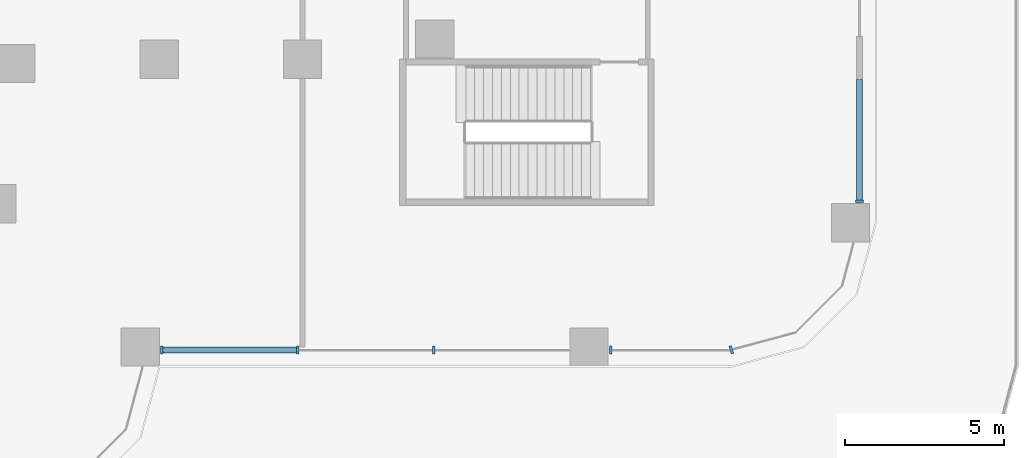
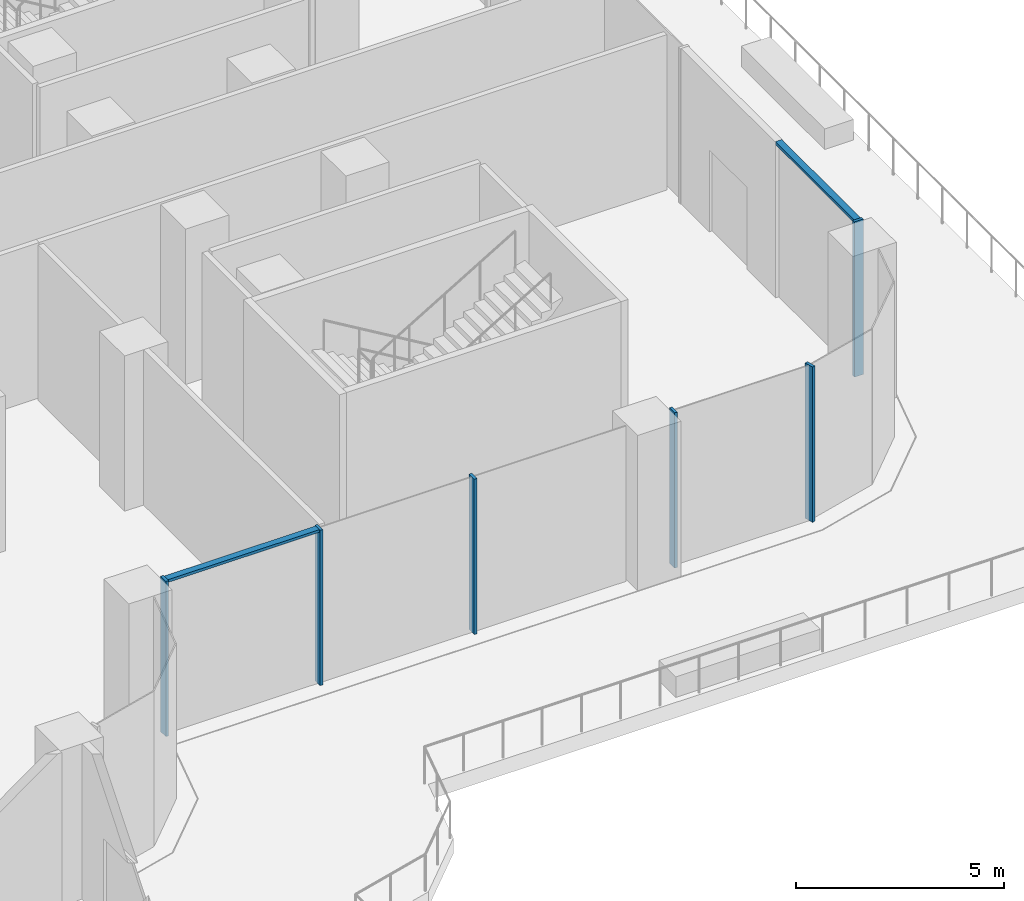
# One storey, part 6 of 27: 8 members, 3 elements without a shape of their own.
"""IFC4 building model written with IfcOpenShell, lengths in metres."""

from ifc_helpers import new_model, si_unit, direction, frame, origin, place, context, subcontext, project, spatial, polyline, outline, extrude, source, transform, mapped, material, type_object, element, aggregate, save


model = new_model("IFC4")

# Units and contexts
model_context = context("Model", 3, precision=1e-05, world=origin(), true_north=direction((0.0, 1.0)))
body_context = subcontext(model_context, "Body", "Model", "MODEL_VIEW")
ifc_project = project(units=[si_unit("LENGTHUNIT", "METRE"), si_unit("AREAUNIT", "SQUARE_METRE"), si_unit("VOLUMEUNIT", "CUBIC_METRE"), si_unit("PLANEANGLEUNIT", "RADIAN"), si_unit("MASSUNIT", "GRAM", prefix="KILO")], contexts=[model_context])

# Site, building, storey
site_placement = place(None, origin())
site = spatial("IfcSite", under=ifc_project, at=site_placement, CompositionType="ELEMENT")
building_placement = place(site_placement, origin())
building = spatial("IfcBuilding", under=site, at=building_placement, Name="Zarbagh Exchange Tower", CompositionType="ELEMENT")
storey_placement = place(building_placement, frame((0.0, 0.0, 17.0)))
storey = spatial("IfcBuildingStorey", under=building, at=storey_placement, Name="L03", CompositionType="ELEMENT", Elevation=17.0)

# Curtain wall, members
ifc_material_1 = material(Name="Anodised aluminium frame and glazing", Category="aluminium")
curtain_wall_type = type_object("IfcCurtainWallType", Name="CWC Podium garden-wall glazing", PredefinedType="NOTDEFINED", material=ifc_material_1)
curtain_wall_1_placement = place(storey_placement, origin())
curtain_wall_1 = element("IfcCurtainWall", 1, at=curtain_wall_1_placement, inside=storey, type_object=curtain_wall_type, Name="CWC150 curtain wall", PredefinedType="NOTDEFINED")
ifc_material_2 = material(Name="Anodised aluminium frame", Category="aluminium")
member_type_1 = type_object("IfcMemberType", Name="MUC Mullion, anodised aluminium frame", PredefinedType="MULLION", material=ifc_material_2)
shared_shape_1 = source(origin(), body_context, "Body", "SweptSolid", [
    extrude(outline(polyline([(0.0, -0.125), (0.080078125, -0.125), (0.080078125, 0.125), (0.0, 0.125), (0.0, -0.125)])), origin(), (0.0, 0.0, 1.0), 4.550048828125),
])
placement = place(storey_placement, origin())
member_1 = element("IfcMember", 2, at=placement, type_object=member_type_1, Name="CWC150 mullion 1.1", PredefinedType="MULLION", context=body_context, shape_type="MappedRepresentation", body=[
    mapped(shared_shape_1, transform((20.2900390625, -15.25, 0.0), x_axis=(1.0, 0.0, 0.0), y_axis=(0.0, 1.0, 0.0), z_axis=(0.0, 0.0, 1.0))),
])
member_2 = element("IfcMember", 3, at=placement, type_object=member_type_1, Name="CWC150 mullion 1.2", PredefinedType="MULLION", context=body_context, shape_type="MappedRepresentation", body=[
    mapped(shared_shape_1, transform((24.5634765625, -15.25, 0.0), x_axis=(1.0, 0.0, 0.0), y_axis=(0.0, 1.0, 0.0), z_axis=(0.0, 0.0, 1.0))),
])
member_3 = element("IfcMember", 4, at=placement, type_object=member_type_1, Name="CWC150 mullion 1.3", PredefinedType="MULLION", context=body_context, shape_type="MappedRepresentation", body=[
    mapped(shared_shape_1, transform((28.836669921875, -15.25, 0.0), x_axis=(1.0, 0.0, 0.0), y_axis=(0.0, 1.0, 0.0), z_axis=(0.0, 0.0, 1.0))),
])
member_4 = element("IfcMember", 5, at=placement, type_object=member_type_1, Name="CWC150 mullion 2.1", PredefinedType="MULLION", context=body_context, shape_type="MappedRepresentation", body=[
    mapped(shared_shape_1, transform((34.39013671875, -15.25, 0.0), x_axis=(1.0, 0.0, 0.0), y_axis=(0.0, 1.0, 0.0), z_axis=(0.0, 0.0, 1.0))),
])

# Curtain wall, member
curtain_wall_2_placement = place(storey_placement, origin())
curtain_wall_2 = element("IfcCurtainWall", 6, at=curtain_wall_2_placement, inside=storey, type_object=curtain_wall_type, Name="CWC151 curtain wall", PredefinedType="NOTDEFINED")
member_5 = element("IfcMember", 7, at=placement, type_object=member_type_1, Name="CWC151 mullion 1.1", PredefinedType="MULLION", context=body_context, shape_type="MappedRepresentation", body=[
    mapped(shared_shape_1, transform((38.18408203125, -15.25, 0.0), x_axis=(0.965924289636, 0.258824779902, 0.0), y_axis=(-0.258824779902, 0.965924289636, 0.0), z_axis=(0.0, 0.0, 1.0))),
])
aggregate(curtain_wall_2, [member_5])

curtain_wall_3_placement = place(storey_placement, origin())
curtain_wall_3 = element("IfcCurtainWall", 8, at=curtain_wall_3_placement, inside=storey, type_object=curtain_wall_type, Name="CWC154 curtain wall", PredefinedType="NOTDEFINED")
member_6 = element("IfcMember", 9, at=placement, type_object=member_type_1, Name="CWC154 mullion 1.1", PredefinedType="MULLION", context=body_context, shape_type="MappedRepresentation", body=[
    mapped(shared_shape_1, transform((42.25, -10.60986328125, 0.0), x_axis=(0.0, 1.0, 0.0), y_axis=(-1.0, 0.0, 0.0), z_axis=(0.0, 0.0, 1.0))),
])

# Member
member_type_2 = type_object("IfcMemberType", Name="TRC Transom, anodised aluminium frame", PredefinedType="USERDEFINED", material=ifc_material_2)
shared_shape_2 = source(origin(), body_context, "Body", "SweptSolid", [
    extrude(outline(polyline([(-0.080078125, -0.090087890625), (0.0, -0.090087890625), (0.0, 0.090087890625), (-0.080078125, 0.090087890625), (-0.080078125, -0.090087890625)])), origin(), (0.0, 0.0, 1.0), 4.193359375),
])
member_7 = element("IfcMember", 10, at=placement, type_object=member_type_2, Name="CWC150 transom 1.1", ObjectType="TRANSOM", PredefinedType="USERDEFINED", context=body_context, shape_type="MappedRepresentation", body=[
    mapped(shared_shape_2, transform((20.3701171875, -15.25, 4.550048828125), x_axis=(0.0, 0.0, 1.0), y_axis=(0.0, -1.0, 0.0), z_axis=(1.0, 0.0, 0.0))),
])

aggregate(curtain_wall_1, [member_1, member_7, member_2, member_3, member_4])

shared_shape_3 = source(origin(), body_context, "Body", "SweptSolid", [
    extrude(outline(polyline([(-0.080078125, -0.090087890625), (0.0, -0.090087890625), (0.0, 0.090087890625), (-0.080078125, 0.090087890625), (-0.080078125, -0.090087890625)])), origin(), (0.0, 0.0, 1.0), 3.780029296875),
])
member_8 = element("IfcMember", 11, at=placement, type_object=member_type_2, Name="CWC154 transom 1.1", ObjectType="TRANSOM", PredefinedType="USERDEFINED", context=body_context, shape_type="MappedRepresentation", body=[
    mapped(shared_shape_3, transform((42.25, -10.530029296875, 4.550048828125), x_axis=(0.0, 0.0, 1.0), y_axis=(1.0, 0.0, 0.0), z_axis=(0.0, 1.0, 0.0))),
])

aggregate(curtain_wall_3, [member_6, member_8])

save(model, "model.ifc")
